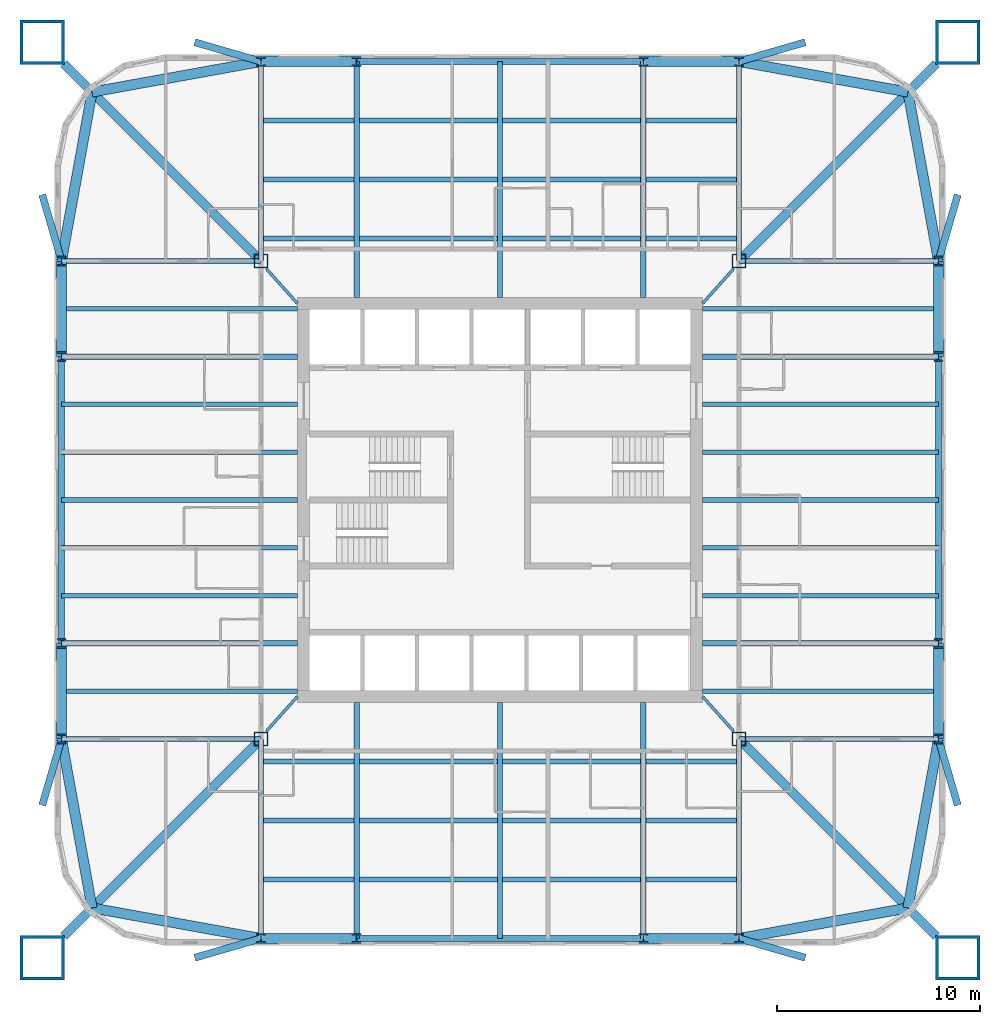
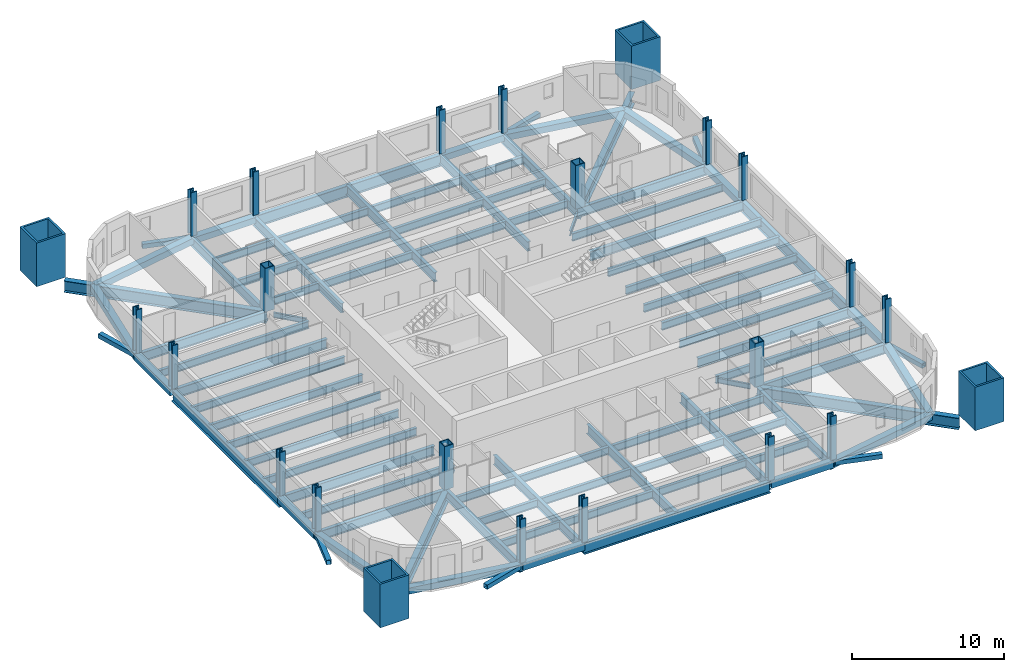
# One storey, part 1 of 9: 92 beams, 24 columns.
"""IFC4 building model written with IfcOpenShell, lengths in metres."""

from ifc_helpers import new_model, si_unit, direction, frame, origin, origin_2d, place, context, subcontext, project, spatial, hollow_rectangle, i_section, extrude, material, material_profile, profile_set, type_object, element, save


model = new_model("IFC4")

# Units and contexts
model_context = context("Model", 3, precision=1e-05, world=origin(), true_north=direction((0.0, 1.0)))
body_context = subcontext(model_context, "Body", "Model", "MODEL_VIEW")
ifc_project = project(units=[si_unit("LENGTHUNIT", "METRE"), si_unit("AREAUNIT", "SQUARE_METRE"), si_unit("VOLUMEUNIT", "CUBIC_METRE"), si_unit("PLANEANGLEUNIT", "RADIAN"), si_unit("MASSUNIT", "GRAM", prefix="KILO")], contexts=[model_context])

# Site, building, storey
site_placement = place(None, origin())
site = spatial("IfcSite", under=ifc_project, at=site_placement, CompositionType="ELEMENT")
building_placement = place(site_placement, origin())
building = spatial("IfcBuilding", under=site, at=building_placement, Name="Turquesa Mirador Hotel Tower", CompositionType="ELEMENT")
storey_placement = place(building_placement, frame((0.0, 0.0, 35.5)))
storey = spatial("IfcBuildingStorey", under=building, at=storey_placement, Name="L08", CompositionType="ELEMENT", Elevation=35.5)

# Columns
ifc_material_1 = material(Name="Steel ASTM A572 Grade 50", Category="steel")
ifc_material_profile_1 = material_profile(ifc_material_1, hollow_rectangle(XDim=0.699951171875, YDim=0.699951171875, WallThickness=0.06005859375, at=origin_2d()), Name="BOX700X700X60")
ifc_profile_set_1 = profile_set([ifc_material_profile_1], Name="Steel ASTM A572 Grade 50")
column_type_1 = type_object("IfcColumnType", Name="COLUMN BOX700X700X60", PredefinedType="COLUMN", material=ifc_profile_set_1)
for number, where, z_axis, x_axis, name in (
    (1, (43.199951171875, 33.199951171875, 0.0), (0.0, 0.0, 1.0), (1.0, 0.0, 0.0), "COL-L08-K--11.80--11.80"),
    (2, (43.199951171875, 56.800048828125, 0.0), (0.0, 0.0, 1.0), (1.0, 0.0, 0.0), "COL-L08-K--11.80-+11.80"),
    (3, (66.800048828125, 33.199951171875, 0.0), (0.0, 0.0, 1.0), (1.0, 0.0, 0.0), "COL-L08-K-+11.80--11.80"),
    (4, (66.800048828125, 56.800048828125, 0.0), (0.0, 0.0, 1.0), (1.0, 0.0, 0.0), "COL-L08-K-+11.80-+11.80"),
):
    element("IfcColumn", number, at=place(storey_placement, frame(where, z_axis=z_axis, x_axis=x_axis)), inside=storey, type_object=column_type_1, Name=name, PredefinedType="COLUMN", context=body_context, shape_type="SweptSolid", body=[
        extrude(hollow_rectangle(XDim=0.699951171875, YDim=0.699951171875, WallThickness=0.06005859375, at=origin_2d()), origin(), (0.0, 0.0, 1.0), 3.5),
    ])
ifc_material_2 = material(Name="Steel ASTM A992 Grade 50", Category="steel")
ifc_material_profile_2 = material_profile(ifc_material_2, i_section(OverallWidth=0.431884765625, OverallDepth=0.497802734375, WebThickness=0.0556640625, FlangeThickness=0.0888671875, at=origin_2d()), Name="W14X500")
ifc_profile_set_2 = profile_set([ifc_material_profile_2], Name="Steel ASTM A992 Grade 50")
column_type_2 = type_object("IfcColumnType", Name="COLUMN W14X500", PredefinedType="COLUMN", material=ifc_profile_set_2)
for number, where, z_axis, x_axis, name in (
    (5, (33.35009765625, 33.199951171875, 0.0), (0.0, 0.0, 1.0), (1.0, 0.0, 0.0), "COL-L08-P--21.65--11.80"),
    (6, (33.35009765625, 37.919921875, 0.0), (0.0, 0.0, 1.0), (1.0, 0.0, 0.0), "COL-L08-P--21.65--7.08"),
    (7, (33.35009765625, 52.080078125, 0.0), (0.0, 0.0, 1.0), (1.0, 0.0, 0.0), "COL-L08-P--21.65-+7.08"),
    (8, (33.35009765625, 56.800048828125, 0.0), (0.0, 0.0, 1.0), (1.0, 0.0, 0.0), "COL-L08-P--21.65-+11.80"),
    (9, (43.199951171875, 23.35009765625, 0.0), (0.0, 0.0, 1.0), (1.0, 0.0, 0.0), "COL-L08-P--11.80--21.65"),
    (10, (43.199951171875, 66.64990234375, 0.0), (0.0, 0.0, 1.0), (1.0, 0.0, 0.0), "COL-L08-P--11.80-+21.65"),
    (11, (47.919921875, 23.35009765625, 0.0), (0.0, 0.0, 1.0), (1.0, 0.0, 0.0), "COL-L08-P--7.08--21.65"),
    (12, (47.919921875, 66.64990234375, 0.0), (0.0, 0.0, 1.0), (1.0, 0.0, 0.0), "COL-L08-P--7.08-+21.65"),
    (13, (62.080078125, 23.35009765625, 0.0), (0.0, 0.0, 1.0), (1.0, 0.0, 0.0), "COL-L08-P-+7.08--21.65"),
    (14, (62.080078125, 66.64990234375, 0.0), (0.0, 0.0, 1.0), (1.0, 0.0, 0.0), "COL-L08-P-+7.08-+21.65"),
    (15, (66.800048828125, 23.35009765625, 0.0), (0.0, 0.0, 1.0), (1.0, 0.0, 0.0), "COL-L08-P-+11.80--21.65"),
    (16, (66.800048828125, 66.64990234375, 0.0), (0.0, 0.0, 1.0), (1.0, 0.0, 0.0), "COL-L08-P-+11.80-+21.65"),
    (17, (76.64990234375, 33.199951171875, 0.0), (0.0, 0.0, 1.0), (1.0, 0.0, 0.0), "COL-L08-P-+21.65--11.80"),
    (18, (76.64990234375, 37.919921875, 0.0), (0.0, 0.0, 1.0), (1.0, 0.0, 0.0), "COL-L08-P-+21.65--7.08"),
    (19, (76.64990234375, 52.080078125, 0.0), (0.0, 0.0, 1.0), (1.0, 0.0, 0.0), "COL-L08-P-+21.65-+7.08"),
    (20, (76.64990234375, 56.800048828125, 0.0), (0.0, 0.0, 1.0), (1.0, 0.0, 0.0), "COL-L08-P-+21.65-+11.80"),
):
    element("IfcColumn", number, at=place(storey_placement, frame(where, z_axis=z_axis, x_axis=x_axis)), inside=storey, type_object=column_type_2, Name=name, PredefinedType="COLUMN", context=body_context, shape_type="SweptSolid", body=[
        extrude(i_section(OverallWidth=0.431884765625, OverallDepth=0.497802734375, WebThickness=0.0556640625, FlangeThickness=0.0888671875, at=origin_2d()), origin(), (0.0, 0.0, 1.0), 3.5),
    ])
ifc_material_3 = material(Name="Steel ASTM A514 Grade Q", Category="steel")
ifc_material_profile_3 = material_profile(ifc_material_3, hollow_rectangle(XDim=2.199951171875, YDim=2.199951171875, WallThickness=0.14990234375, at=origin_2d()), Name="BOX2200X2200X150")
ifc_profile_set_3 = profile_set([ifc_material_profile_3], Name="Steel ASTM A514 Grade Q")
column_type_3 = type_object("IfcColumnType", Name="MEGA COLUMN BOX2200X2200X150", PredefinedType="COLUMN", material=ifc_profile_set_3)
for number, where, z_axis, x_axis, name in (
    (21, (77.60009765625, 67.60009765625, 0.0), (0.0, 0.0, 1.0), (1.0, 0.0, 0.0), "Mega column M1"),
    (22, (32.39990234375, 67.60009765625, 0.0), (0.0, 0.0, 1.0), (1.0, 0.0, 0.0), "Mega column M2"),
    (23, (32.39990234375, 22.39990234375, 0.0), (0.0, 0.0, 1.0), (1.0, 0.0, 0.0), "Mega column M3"),
    (24, (77.60009765625, 22.39990234375, 0.0), (0.0, 0.0, 1.0), (1.0, 0.0, 0.0), "Mega column M4"),
):
    element("IfcColumn", number, at=place(storey_placement, frame(where, z_axis=z_axis, x_axis=x_axis)), inside=storey, type_object=column_type_3, Name=name, PredefinedType="COLUMN", context=body_context, shape_type="SweptSolid", body=[
        extrude(hollow_rectangle(XDim=2.199951171875, YDim=2.199951171875, WallThickness=0.14990234375, at=origin_2d()), origin(), (0.0, 0.0, 1.0), 3.5),
    ])

# Beams
ifc_material_4 = material(Name="Steel ASTM A572 Grade 50", Category="steel")
ifc_material_profile_4 = material_profile(ifc_material_4, hollow_rectangle(XDim=0.5, YDim=0.5, WallThickness=0.01611328125, at=origin_2d()), Name="BOX500X500X16")
ifc_profile_set_4 = profile_set([ifc_material_profile_4], Name="Steel ASTM A572 Grade 50")
beam_type_1 = type_object("IfcBeamType", Name="BEAM BOX500X500X16", PredefinedType="BEAM", material=ifc_profile_set_4)
for number, where, z_axis, x_axis, name in (
    (25, (43.199951171875, 66.64990234375, -0.419921875), (1.0, 0.0, 0.0), (0.0, 1.0, 0.0), "EB-L08-N-L"),
    (26, (62.080078125, 66.64990234375, -0.419921875), (1.0, 0.0, 0.0), (0.0, 1.0, 0.0), "EB-L08-N-R"),
    (27, (43.199951171875, 23.35009765625, -0.419921875), (1.0, 0.0, 0.0), (0.0, 1.0, 0.0), "EB-L08-S-L"),
    (28, (62.080078125, 23.35009765625, -0.419921875), (1.0, 0.0, 0.0), (0.0, 1.0, 0.0), "EB-L08-S-R"),
    (29, (76.64990234375, 33.199951171875, -0.419921875), (0.0, 1.0, 0.0), (-1.0, 0.0, 0.0), "EB-L08-E-L"),
    (30, (76.64990234375, 52.080078125, -0.419921875), (0.0, 1.0, 0.0), (-1.0, 0.0, 0.0), "EB-L08-E-R"),
    (31, (33.35009765625, 33.199951171875, -0.419921875), (0.0, 1.0, 0.0), (-1.0, 0.0, 0.0), "EB-L08-W-L"),
    (32, (33.35009765625, 52.080078125, -0.419921875), (0.0, 1.0, 0.0), (-1.0, 0.0, 0.0), "EB-L08-W-R"),
):
    element("IfcBeam", number, at=place(storey_placement, frame(where, z_axis=z_axis, x_axis=x_axis)), inside=storey, type_object=beam_type_1, Name=name, PredefinedType="BEAM", context=body_context, shape_type="SweptSolid", body=[
        extrude(hollow_rectangle(XDim=0.5, YDim=0.5, WallThickness=0.01611328125, at=origin_2d()), origin(), (0.0, 0.0, 1.0), 4.719970703125),
    ])
for number, where, z_axis, x_axis, name in (
    (33, (76.64990234375, 56.800048828125, -0.419921875), (-0.177932387818, 0.984042715214, 0.0), (-0.984042715214, -0.177932387818, 0.0), "KE-L08-1-0"),
    (34, (75.1416015625, 65.1416015625, -0.419921875), (-0.984042715214, 0.177932387818, 0.0), (-0.177932387818, -0.984042715214, 0.0), "KE-L08-1-1"),
    (35, (33.35009765625, 56.800048828125, -0.419921875), (0.177932387818, 0.984042715214, 0.0), (-0.984042715214, 0.177932387818, 0.0), "KE-L08-2-0"),
    (36, (34.8583984375, 65.1416015625, -0.419921875), (0.984042715214, 0.177932387818, 0.0), (-0.177932387818, 0.984042715214, 0.0), "KE-L08-2-1"),
    (37, (33.35009765625, 33.199951171875, -0.419921875), (0.177932387818, -0.984042715214, 0.0), (0.984042715214, 0.177932387818, 0.0), "KE-L08-3-0"),
    (38, (34.8583984375, 24.8583984375, -0.419921875), (0.984042715214, -0.177932387818, 0.0), (0.177932387818, 0.984042715214, 0.0), "KE-L08-3-1"),
    (39, (76.64990234375, 33.199951171875, -0.419921875), (-0.177932387818, -0.984042715214, 0.0), (0.984042715214, -0.177932387818, 0.0), "KE-L08-4-0"),
    (40, (75.1416015625, 24.8583984375, -0.419921875), (-0.984042715214, -0.177932387818, 0.0), (0.177932387818, -0.984042715214, 0.0), "KE-L08-4-1"),
):
    element("IfcBeam", number, at=place(storey_placement, frame(where, z_axis=z_axis, x_axis=x_axis)), inside=storey, type_object=beam_type_1, Name=name, PredefinedType="BEAM", context=body_context, shape_type="SweptSolid", body=[
        extrude(hollow_rectangle(XDim=0.5, YDim=0.5, WallThickness=0.01611328125, at=origin_2d()), origin(), (0.0, 0.0, 1.0), 8.476806640625),
    ])
ifc_material_5 = material(Name="Steel ASTM A992 Grade 50", Category="steel")
ifc_material_profile_5 = material_profile(ifc_material_5, i_section(OverallWidth=0.140380859375, OverallDepth=0.40380859375, WebThickness=0.007080078125, FlangeThickness=0.01123046875, at=origin_2d()), Name="W16X31")
ifc_profile_set_5 = profile_set([ifc_material_profile_5], Name="Steel ASTM A992 Grade 50")
beam_type_2 = type_object("IfcBeamType", Name="BEAM W16X31", PredefinedType="BEAM", material=ifc_profile_set_5)
for number, where, z_axis, x_axis, name in (
    (41, (66.529541015625, 56.40966796875, -0.371826171875), (-0.666745084392, -0.745285846129, 0.0), (0.745285846129, -0.666745084392, 0.0), "KT-L08-1"),
    (42, (43.470458984375, 56.40966796875, -0.371826171875), (0.666745084392, -0.745285846129, 0.0), (0.745285846129, 0.666745084392, 0.0), "KT-L08-2"),
    (43, (43.470458984375, 33.59033203125, -0.371826171875), (0.666745084392, 0.745285846129, 0.0), (-0.745285846129, 0.666745084392, 0.0), "KT-L08-3"),
    (44, (66.529541015625, 33.59033203125, -0.371826171875), (-0.666745084392, 0.745285846129, 0.0), (-0.745285846129, -0.666745084392, 0.0), "KT-L08-4"),
):
    element("IfcBeam", number, at=place(storey_placement, frame(where, z_axis=z_axis, x_axis=x_axis)), inside=storey, type_object=beam_type_2, Name=name, PredefinedType="BEAM", context=body_context, shape_type="SweptSolid", body=[
        extrude(i_section(OverallWidth=0.140380859375, OverallDepth=0.40380859375, WebThickness=0.007080078125, FlangeThickness=0.01123046875, at=origin_2d()), origin(), (0.0, 0.0, 1.0), 2.2939453125),
    ])
ifc_material_6 = material(Name="Steel ASTM A992 Grade 50", Category="steel")
ifc_material_profile_6 = material_profile(ifc_material_6, i_section(OverallWidth=0.228271484375, OverallDepth=0.607177734375, WebThickness=0.01123046875, FlangeThickness=0.017333984375, at=origin_2d()), Name="W24X76")
ifc_profile_set_6 = profile_set([ifc_material_profile_6], Name="Steel ASTM A992 Grade 50")
beam_type_3 = type_object("IfcBeamType", Name="BEAM W24X76", PredefinedType="BEAM", material=ifc_profile_set_6)
beam_1_placement = place(storey_placement, frame((43.333251953125, 57.912109375, -0.4736328125), z_axis=(1.0, 0.0, 0.0), x_axis=(0.0, 1.0, 0.0)))
element("IfcBeam", 45, at=beam_1_placement, inside=storey, type_object=beam_type_3, Name="IB-L08-N-1-0", PredefinedType="BEAM", context=body_context, shape_type="SweptSolid", body=[
    extrude(i_section(OverallWidth=0.228271484375, OverallDepth=0.607177734375, WebThickness=0.01123046875, FlangeThickness=0.017333984375, at=origin_2d()), origin(), (0.0, 0.0, 1.0), 4.453369140625),
])
for number, where, z_axis, x_axis, name in (
    (46, (48.053466796875, 57.912109375, -0.4736328125), (1.0, 0.0, 0.0), (0.0, 1.0, 0.0), "IB-L08-N-1-1"),
    (47, (55.13330078125, 57.912109375, -0.4736328125), (1.0, 0.0, 0.0), (0.0, 1.0, 0.0), "IB-L08-N-1-2"),
):
    element("IfcBeam", number, at=place(storey_placement, frame(where, z_axis=z_axis, x_axis=x_axis)), inside=storey, type_object=beam_type_3, Name=name, PredefinedType="BEAM", context=body_context, shape_type="SweptSolid", body=[
        extrude(i_section(OverallWidth=0.228271484375, OverallDepth=0.607177734375, WebThickness=0.01123046875, FlangeThickness=0.017333984375, at=origin_2d()), origin(), (0.0, 0.0, 1.0), 6.813232421875),
    ])
for number, where, z_axis, x_axis, name in (
    (48, (62.21337890625, 57.912109375, -0.4736328125), (1.0, 0.0, 0.0), (0.0, 1.0, 0.0), "IB-L08-N-1-3"),
    (49, (43.333251953125, 60.824951171875, -0.4736328125), (1.0, 0.0, 0.0), (0.0, 1.0, 0.0), "IB-L08-N-2-0"),
):
    element("IfcBeam", number, at=place(storey_placement, frame(where, z_axis=z_axis, x_axis=x_axis)), inside=storey, type_object=beam_type_3, Name=name, PredefinedType="BEAM", context=body_context, shape_type="SweptSolid", body=[
        extrude(i_section(OverallWidth=0.228271484375, OverallDepth=0.607177734375, WebThickness=0.01123046875, FlangeThickness=0.017333984375, at=origin_2d()), origin(), (0.0, 0.0, 1.0), 4.453369140625),
    ])
for number, where, z_axis, x_axis, name in (
    (50, (48.053466796875, 60.824951171875, -0.4736328125), (1.0, 0.0, 0.0), (0.0, 1.0, 0.0), "IB-L08-N-2-1"),
    (51, (55.13330078125, 60.824951171875, -0.4736328125), (1.0, 0.0, 0.0), (0.0, 1.0, 0.0), "IB-L08-N-2-2"),
):
    element("IfcBeam", number, at=place(storey_placement, frame(where, z_axis=z_axis, x_axis=x_axis)), inside=storey, type_object=beam_type_3, Name=name, PredefinedType="BEAM", context=body_context, shape_type="SweptSolid", body=[
        extrude(i_section(OverallWidth=0.228271484375, OverallDepth=0.607177734375, WebThickness=0.01123046875, FlangeThickness=0.017333984375, at=origin_2d()), origin(), (0.0, 0.0, 1.0), 6.813232421875),
    ])
for number, where, z_axis, x_axis, name in (
    (52, (62.21337890625, 60.824951171875, -0.4736328125), (1.0, 0.0, 0.0), (0.0, 1.0, 0.0), "IB-L08-N-2-3"),
    (53, (43.333251953125, 63.737060546875, -0.4736328125), (1.0, 0.0, 0.0), (0.0, 1.0, 0.0), "IB-L08-N-3-0"),
):
    element("IfcBeam", number, at=place(storey_placement, frame(where, z_axis=z_axis, x_axis=x_axis)), inside=storey, type_object=beam_type_3, Name=name, PredefinedType="BEAM", context=body_context, shape_type="SweptSolid", body=[
        extrude(i_section(OverallWidth=0.228271484375, OverallDepth=0.607177734375, WebThickness=0.01123046875, FlangeThickness=0.017333984375, at=origin_2d()), origin(), (0.0, 0.0, 1.0), 4.453369140625),
    ])
for number, where, z_axis, x_axis, name in (
    (54, (48.053466796875, 63.737060546875, -0.4736328125), (1.0, 0.0, 0.0), (0.0, 1.0, 0.0), "IB-L08-N-3-1"),
    (55, (55.13330078125, 63.737060546875, -0.4736328125), (1.0, 0.0, 0.0), (0.0, 1.0, 0.0), "IB-L08-N-3-2"),
):
    element("IfcBeam", number, at=place(storey_placement, frame(where, z_axis=z_axis, x_axis=x_axis)), inside=storey, type_object=beam_type_3, Name=name, PredefinedType="BEAM", context=body_context, shape_type="SweptSolid", body=[
        extrude(i_section(OverallWidth=0.228271484375, OverallDepth=0.607177734375, WebThickness=0.01123046875, FlangeThickness=0.017333984375, at=origin_2d()), origin(), (0.0, 0.0, 1.0), 6.813232421875),
    ])
for number, where, z_axis, x_axis, name in (
    (56, (62.21337890625, 63.737060546875, -0.4736328125), (1.0, 0.0, 0.0), (0.0, 1.0, 0.0), "IB-L08-N-3-3"),
    (57, (43.333251953125, 32.087890625, -0.4736328125), (1.0, 0.0, 0.0), (0.0, 1.0, 0.0), "IB-L08-S-1-0"),
):
    element("IfcBeam", number, at=place(storey_placement, frame(where, z_axis=z_axis, x_axis=x_axis)), inside=storey, type_object=beam_type_3, Name=name, PredefinedType="BEAM", context=body_context, shape_type="SweptSolid", body=[
        extrude(i_section(OverallWidth=0.228271484375, OverallDepth=0.607177734375, WebThickness=0.01123046875, FlangeThickness=0.017333984375, at=origin_2d()), origin(), (0.0, 0.0, 1.0), 4.453369140625),
    ])
for number, where, z_axis, x_axis, name in (
    (58, (48.053466796875, 32.087890625, -0.4736328125), (1.0, 0.0, 0.0), (0.0, 1.0, 0.0), "IB-L08-S-1-1"),
    (59, (55.13330078125, 32.087890625, -0.4736328125), (1.0, 0.0, 0.0), (0.0, 1.0, 0.0), "IB-L08-S-1-2"),
):
    element("IfcBeam", number, at=place(storey_placement, frame(where, z_axis=z_axis, x_axis=x_axis)), inside=storey, type_object=beam_type_3, Name=name, PredefinedType="BEAM", context=body_context, shape_type="SweptSolid", body=[
        extrude(i_section(OverallWidth=0.228271484375, OverallDepth=0.607177734375, WebThickness=0.01123046875, FlangeThickness=0.017333984375, at=origin_2d()), origin(), (0.0, 0.0, 1.0), 6.813232421875),
    ])
for number, where, z_axis, x_axis, name in (
    (60, (62.21337890625, 32.087890625, -0.4736328125), (1.0, 0.0, 0.0), (0.0, 1.0, 0.0), "IB-L08-S-1-3"),
    (61, (43.333251953125, 29.175048828125, -0.4736328125), (1.0, 0.0, 0.0), (0.0, 1.0, 0.0), "IB-L08-S-2-0"),
):
    element("IfcBeam", number, at=place(storey_placement, frame(where, z_axis=z_axis, x_axis=x_axis)), inside=storey, type_object=beam_type_3, Name=name, PredefinedType="BEAM", context=body_context, shape_type="SweptSolid", body=[
        extrude(i_section(OverallWidth=0.228271484375, OverallDepth=0.607177734375, WebThickness=0.01123046875, FlangeThickness=0.017333984375, at=origin_2d()), origin(), (0.0, 0.0, 1.0), 4.453369140625),
    ])
for number, where, z_axis, x_axis, name in (
    (62, (48.053466796875, 29.175048828125, -0.4736328125), (1.0, 0.0, 0.0), (0.0, 1.0, 0.0), "IB-L08-S-2-1"),
    (63, (55.13330078125, 29.175048828125, -0.4736328125), (1.0, 0.0, 0.0), (0.0, 1.0, 0.0), "IB-L08-S-2-2"),
):
    element("IfcBeam", number, at=place(storey_placement, frame(where, z_axis=z_axis, x_axis=x_axis)), inside=storey, type_object=beam_type_3, Name=name, PredefinedType="BEAM", context=body_context, shape_type="SweptSolid", body=[
        extrude(i_section(OverallWidth=0.228271484375, OverallDepth=0.607177734375, WebThickness=0.01123046875, FlangeThickness=0.017333984375, at=origin_2d()), origin(), (0.0, 0.0, 1.0), 6.813232421875),
    ])
for number, where, z_axis, x_axis, name in (
    (64, (62.21337890625, 29.175048828125, -0.4736328125), (1.0, 0.0, 0.0), (0.0, 1.0, 0.0), "IB-L08-S-2-3"),
    (65, (43.333251953125, 26.262939453125, -0.4736328125), (1.0, 0.0, 0.0), (0.0, 1.0, 0.0), "IB-L08-S-3-0"),
):
    element("IfcBeam", number, at=place(storey_placement, frame(where, z_axis=z_axis, x_axis=x_axis)), inside=storey, type_object=beam_type_3, Name=name, PredefinedType="BEAM", context=body_context, shape_type="SweptSolid", body=[
        extrude(i_section(OverallWidth=0.228271484375, OverallDepth=0.607177734375, WebThickness=0.01123046875, FlangeThickness=0.017333984375, at=origin_2d()), origin(), (0.0, 0.0, 1.0), 4.453369140625),
    ])
for number, where, z_axis, x_axis, name in (
    (66, (48.053466796875, 26.262939453125, -0.4736328125), (1.0, 0.0, 0.0), (0.0, 1.0, 0.0), "IB-L08-S-3-1"),
    (67, (55.13330078125, 26.262939453125, -0.4736328125), (1.0, 0.0, 0.0), (0.0, 1.0, 0.0), "IB-L08-S-3-2"),
):
    element("IfcBeam", number, at=place(storey_placement, frame(where, z_axis=z_axis, x_axis=x_axis)), inside=storey, type_object=beam_type_3, Name=name, PredefinedType="BEAM", context=body_context, shape_type="SweptSolid", body=[
        extrude(i_section(OverallWidth=0.228271484375, OverallDepth=0.607177734375, WebThickness=0.01123046875, FlangeThickness=0.017333984375, at=origin_2d()), origin(), (0.0, 0.0, 1.0), 6.813232421875),
    ])
beam_2_placement = place(storey_placement, frame((62.21337890625, 26.262939453125, -0.4736328125), z_axis=(1.0, 0.0, 0.0), x_axis=(0.0, 1.0, 0.0)))
element("IfcBeam", 68, at=beam_2_placement, inside=storey, type_object=beam_type_3, Name="IB-L08-S-3-3", PredefinedType="BEAM", context=body_context, shape_type="SweptSolid", body=[
    extrude(i_section(OverallWidth=0.228271484375, OverallDepth=0.607177734375, WebThickness=0.01123046875, FlangeThickness=0.017333984375, at=origin_2d()), origin(), (0.0, 0.0, 1.0), 4.453369140625),
])
for number, where, z_axis, x_axis, name in (
    (69, (76.64990234375, 35.56005859375, -0.4736328125), (-1.0, 0.0, 0.0), (0.0, -1.0, 0.0), "BM-L08-E--9.44"),
    (70, (76.64990234375, 40.280029296875, -0.4736328125), (-1.0, 0.0, 0.0), (0.0, -1.0, 0.0), "BM-L08-E--4.72"),
    (71, (76.64990234375, 42.639892578125, -0.4736328125), (-1.0, 0.0, 0.0), (0.0, -1.0, 0.0), "BM-L08-E--2.36"),
    (72, (76.64990234375, 45.0, -0.4736328125), (-1.0, 0.0, 0.0), (0.0, -1.0, 0.0), "BM-L08-E-+0.00"),
    (73, (76.64990234375, 47.360107421875, -0.4736328125), (-1.0, 0.0, 0.0), (0.0, -1.0, 0.0), "BM-L08-E-+2.36"),
    (74, (76.64990234375, 49.719970703125, -0.4736328125), (-1.0, 0.0, 0.0), (0.0, -1.0, 0.0), "BM-L08-E-+4.72"),
    (75, (76.64990234375, 54.43994140625, -0.4736328125), (-1.0, 0.0, 0.0), (0.0, -1.0, 0.0), "BM-L08-E-+9.44"),
    (76, (33.35009765625, 35.56005859375, -0.4736328125), (1.0, 0.0, 0.0), (0.0, 1.0, 0.0), "BM-L08-W--9.44"),
    (77, (33.35009765625, 40.280029296875, -0.4736328125), (1.0, 0.0, 0.0), (0.0, 1.0, 0.0), "BM-L08-W--4.72"),
    (78, (33.35009765625, 42.639892578125, -0.4736328125), (1.0, 0.0, 0.0), (0.0, 1.0, 0.0), "BM-L08-W--2.36"),
    (79, (33.35009765625, 45.0, -0.4736328125), (1.0, 0.0, 0.0), (0.0, 1.0, 0.0), "BM-L08-W-+0.00"),
    (80, (33.35009765625, 47.360107421875, -0.4736328125), (1.0, 0.0, 0.0), (0.0, 1.0, 0.0), "BM-L08-W-+2.36"),
    (81, (33.35009765625, 49.719970703125, -0.4736328125), (1.0, 0.0, 0.0), (0.0, 1.0, 0.0), "BM-L08-W-+4.72"),
    (82, (33.35009765625, 54.43994140625, -0.4736328125), (1.0, 0.0, 0.0), (0.0, 1.0, 0.0), "BM-L08-W-+9.44"),
):
    element("IfcBeam", number, at=place(storey_placement, frame(where, z_axis=z_axis, x_axis=x_axis)), inside=storey, type_object=beam_type_3, Name=name, PredefinedType="BEAM", context=body_context, shape_type="SweptSolid", body=[
        extrude(i_section(OverallWidth=0.228271484375, OverallDepth=0.607177734375, WebThickness=0.01123046875, FlangeThickness=0.017333984375, at=origin_2d()), origin(), (0.0, 0.0, 1.0), 11.64990234375),
    ])
ifc_material_7 = material(Name="Steel ASTM A992 Grade 50", Category="steel")
ifc_material_profile_7 = material_profile(ifc_material_7, i_section(OverallWidth=0.2666015625, OverallDepth=0.7568359375, WebThickness=0.013916015625, FlangeThickness=0.019287109375, at=origin_2d()), Name="W30X108")
ifc_profile_set_7 = profile_set([ifc_material_profile_7], Name="Steel ASTM A992 Grade 50")
beam_type_4 = type_object("IfcBeamType", Name="BEAM W30X108", PredefinedType="BEAM", material=ifc_profile_set_7)
for number, where, z_axis, x_axis, name in (
    (83, (47.919921875, 66.64990234375, -0.54833984375), (0.0, -1.0, 0.0), (1.0, 0.0, 0.0), "GD-L08-N--7.08"),
    (84, (62.080078125, 66.64990234375, -0.54833984375), (0.0, -1.0, 0.0), (1.0, 0.0, 0.0), "GD-L08-N-+7.08"),
    (85, (55.0, 66.64990234375, -0.54833984375), (0.0, -1.0, 0.0), (1.0, 0.0, 0.0), "GD-L08-N-+0.00"),
):
    element("IfcBeam", number, at=place(storey_placement, frame(where, z_axis=z_axis, x_axis=x_axis)), inside=storey, type_object=beam_type_4, Name=name, PredefinedType="BEAM", context=body_context, shape_type="SweptSolid", body=[
        extrude(i_section(OverallWidth=0.2666015625, OverallDepth=0.7568359375, WebThickness=0.013916015625, FlangeThickness=0.019287109375, at=origin_2d()), origin(), (0.0, 0.0, 1.0), 11.64990234375),
    ])
for number, where, z_axis, x_axis, name in (
    (86, (43.199951171875, 66.64990234375, -0.54833984375), (0.0, -1.0, 0.0), (1.0, 0.0, 0.0), "GK-L08-N--11.80"),
    (87, (66.800048828125, 66.64990234375, -0.54833984375), (0.0, -1.0, 0.0), (1.0, 0.0, 0.0), "GK-L08-N-+11.80"),
):
    element("IfcBeam", number, at=place(storey_placement, frame(where, z_axis=z_axis, x_axis=x_axis)), inside=storey, type_object=beam_type_4, Name=name, PredefinedType="BEAM", context=body_context, shape_type="SweptSolid", body=[
        extrude(i_section(OverallWidth=0.2666015625, OverallDepth=0.7568359375, WebThickness=0.013916015625, FlangeThickness=0.019287109375, at=origin_2d()), origin(), (0.0, 0.0, 1.0), 9.849853515625),
    ])
for number, where, z_axis, x_axis, name in (
    (88, (47.919921875, 23.35009765625, -0.54833984375), (0.0, 1.0, 0.0), (-1.0, 0.0, 0.0), "GD-L08-S--7.08"),
    (89, (62.080078125, 23.35009765625, -0.54833984375), (0.0, 1.0, 0.0), (-1.0, 0.0, 0.0), "GD-L08-S-+7.08"),
    (90, (55.0, 23.35009765625, -0.54833984375), (0.0, 1.0, 0.0), (-1.0, 0.0, 0.0), "GD-L08-S-+0.00"),
):
    element("IfcBeam", number, at=place(storey_placement, frame(where, z_axis=z_axis, x_axis=x_axis)), inside=storey, type_object=beam_type_4, Name=name, PredefinedType="BEAM", context=body_context, shape_type="SweptSolid", body=[
        extrude(i_section(OverallWidth=0.2666015625, OverallDepth=0.7568359375, WebThickness=0.013916015625, FlangeThickness=0.019287109375, at=origin_2d()), origin(), (0.0, 0.0, 1.0), 11.64990234375),
    ])
for number, where, z_axis, x_axis, name in (
    (91, (43.199951171875, 23.35009765625, -0.54833984375), (0.0, 1.0, 0.0), (-1.0, 0.0, 0.0), "GK-L08-S--11.80"),
    (92, (66.800048828125, 23.35009765625, -0.54833984375), (0.0, 1.0, 0.0), (-1.0, 0.0, 0.0), "GK-L08-S-+11.80"),
):
    element("IfcBeam", number, at=place(storey_placement, frame(where, z_axis=z_axis, x_axis=x_axis)), inside=storey, type_object=beam_type_4, Name=name, PredefinedType="BEAM", context=body_context, shape_type="SweptSolid", body=[
        extrude(i_section(OverallWidth=0.2666015625, OverallDepth=0.7568359375, WebThickness=0.013916015625, FlangeThickness=0.019287109375, at=origin_2d()), origin(), (0.0, 0.0, 1.0), 9.849853515625),
    ])
for number, where, z_axis, x_axis, name in (
    (93, (76.64990234375, 37.919921875, -0.54833984375), (-1.0, 0.0, 0.0), (0.0, -1.0, 0.0), "GD-L08-E--7.08"),
    (94, (76.64990234375, 52.080078125, -0.54833984375), (-1.0, 0.0, 0.0), (0.0, -1.0, 0.0), "GD-L08-E-+7.08"),
):
    element("IfcBeam", number, at=place(storey_placement, frame(where, z_axis=z_axis, x_axis=x_axis)), inside=storey, type_object=beam_type_4, Name=name, PredefinedType="BEAM", context=body_context, shape_type="SweptSolid", body=[
        extrude(i_section(OverallWidth=0.2666015625, OverallDepth=0.7568359375, WebThickness=0.013916015625, FlangeThickness=0.019287109375, at=origin_2d()), origin(), (0.0, 0.0, 1.0), 11.64990234375),
    ])
for number, where, z_axis, x_axis, name in (
    (95, (76.64990234375, 33.199951171875, -0.54833984375), (-1.0, 0.0, 0.0), (0.0, -1.0, 0.0), "GK-L08-E--11.80"),
    (96, (76.64990234375, 56.800048828125, -0.54833984375), (-1.0, 0.0, 0.0), (0.0, -1.0, 0.0), "GK-L08-E-+11.80"),
):
    element("IfcBeam", number, at=place(storey_placement, frame(where, z_axis=z_axis, x_axis=x_axis)), inside=storey, type_object=beam_type_4, Name=name, PredefinedType="BEAM", context=body_context, shape_type="SweptSolid", body=[
        extrude(i_section(OverallWidth=0.2666015625, OverallDepth=0.7568359375, WebThickness=0.013916015625, FlangeThickness=0.019287109375, at=origin_2d()), origin(), (0.0, 0.0, 1.0), 9.849853515625),
    ])
for number, where, z_axis, x_axis, name in (
    (97, (33.35009765625, 37.919921875, -0.54833984375), (1.0, 0.0, 0.0), (0.0, 1.0, 0.0), "GD-L08-W--7.08"),
    (98, (33.35009765625, 52.080078125, -0.54833984375), (1.0, 0.0, 0.0), (0.0, 1.0, 0.0), "GD-L08-W-+7.08"),
):
    element("IfcBeam", number, at=place(storey_placement, frame(where, z_axis=z_axis, x_axis=x_axis)), inside=storey, type_object=beam_type_4, Name=name, PredefinedType="BEAM", context=body_context, shape_type="SweptSolid", body=[
        extrude(i_section(OverallWidth=0.2666015625, OverallDepth=0.7568359375, WebThickness=0.013916015625, FlangeThickness=0.019287109375, at=origin_2d()), origin(), (0.0, 0.0, 1.0), 11.64990234375),
    ])
for number, where, z_axis, x_axis, name in (
    (99, (33.35009765625, 33.199951171875, -0.54833984375), (1.0, 0.0, 0.0), (0.0, 1.0, 0.0), "GK-L08-W--11.80"),
    (100, (33.35009765625, 56.800048828125, -0.54833984375), (1.0, 0.0, 0.0), (0.0, 1.0, 0.0), "GK-L08-W-+11.80"),
):
    element("IfcBeam", number, at=place(storey_placement, frame(where, z_axis=z_axis, x_axis=x_axis)), inside=storey, type_object=beam_type_4, Name=name, PredefinedType="BEAM", context=body_context, shape_type="SweptSolid", body=[
        extrude(i_section(OverallWidth=0.2666015625, OverallDepth=0.7568359375, WebThickness=0.013916015625, FlangeThickness=0.019287109375, at=origin_2d()), origin(), (0.0, 0.0, 1.0), 9.849853515625),
    ])
ifc_material_8 = material(Name="Steel ASTM A992 Grade 50", Category="steel")
ifc_material_profile_8 = material_profile(ifc_material_8, i_section(OverallWidth=0.3046875, OverallDepth=0.911865234375, WebThickness=0.015869140625, FlangeThickness=0.02392578125, at=origin_2d()), Name="W36X150")
ifc_profile_set_8 = profile_set([ifc_material_profile_8], Name="Steel ASTM A992 Grade 50")
beam_type_5 = type_object("IfcBeamType", Name="BEAM W36X150", PredefinedType="BEAM", material=ifc_profile_set_8)
for number, where, z_axis, x_axis, name in (
    (101, (47.919921875, 66.64990234375, -0.6259765625), (1.0, 0.0, 0.0), (0.0, 1.0, 0.0), "EB-L08-N-C"),
    (102, (47.919921875, 23.35009765625, -0.6259765625), (1.0, 0.0, 0.0), (0.0, 1.0, 0.0), "EB-L08-S-C"),
    (103, (76.64990234375, 37.919921875, -0.6259765625), (0.0, 1.0, 0.0), (-1.0, 0.0, 0.0), "EB-L08-E-C"),
    (104, (33.35009765625, 37.919921875, -0.6259765625), (0.0, 1.0, 0.0), (-1.0, 0.0, 0.0), "EB-L08-W-C"),
):
    element("IfcBeam", number, at=place(storey_placement, frame(where, z_axis=z_axis, x_axis=x_axis)), inside=storey, type_object=beam_type_5, Name=name, PredefinedType="BEAM", context=body_context, shape_type="SweptSolid", body=[
        extrude(i_section(OverallWidth=0.3046875, OverallDepth=0.911865234375, WebThickness=0.015869140625, FlangeThickness=0.02392578125, at=origin_2d()), origin(), (0.0, 0.0, 1.0), 14.16015625),
    ])
ifc_material_9 = material(Name="Steel ASTM A992 Grade 50", Category="steel")
ifc_material_profile_9 = material_profile(ifc_material_9, i_section(OverallWidth=0.419189453125, OverallDepth=0.927001953125, WebThickness=0.019287109375, FlangeThickness=0.031982421875, at=origin_2d()), Name="W36X231")
ifc_profile_set_9 = profile_set([ifc_material_profile_9], Name="Steel ASTM A992 Grade 50")
beam_type_6 = type_object("IfcBeamType", Name="BEAM W36X231", PredefinedType="BEAM", material=ifc_profile_set_9)
for number, where, z_axis, x_axis, name in (
    (105, (66.800048828125, 56.800048828125, -0.633544921875), (0.707106781187, 0.707106781187, 0.0), (-0.707106781187, 0.707106781187, 0.0), "KD-L08-1"),
    (106, (43.199951171875, 56.800048828125, -0.633544921875), (-0.707106781187, 0.707106781187, 0.0), (-0.707106781187, -0.707106781187, 0.0), "KD-L08-2"),
    (107, (43.199951171875, 33.199951171875, -0.633544921875), (-0.707106781187, -0.707106781187, 0.0), (0.707106781187, -0.707106781187, 0.0), "KD-L08-3"),
    (108, (66.800048828125, 33.199951171875, -0.633544921875), (0.707106781187, -0.707106781187, 0.0), (0.707106781187, 0.707106781187, 0.0), "KD-L08-4"),
):
    element("IfcBeam", number, at=place(storey_placement, frame(where, z_axis=z_axis, x_axis=x_axis)), inside=storey, type_object=beam_type_6, Name=name, PredefinedType="BEAM", context=body_context, shape_type="SweptSolid", body=[
        extrude(i_section(OverallWidth=0.419189453125, OverallDepth=0.927001953125, WebThickness=0.019287109375, FlangeThickness=0.031982421875, at=origin_2d()), origin(), (0.0, 0.0, 1.0), 13.78857421875),
    ])
ifc_material_10 = material(Name="Steel ASTM A500 Grade C", Category="steel")
ifc_material_profile_10 = material_profile(ifc_material_10, hollow_rectangle(XDim=0.355712890625, YDim=0.355712890625, WallThickness=0.0146484375, at=origin_2d()), Name="HSS14X14X5/8")
ifc_profile_set_10 = profile_set([ifc_material_profile_10], Name="Steel ASTM A500 Grade C")
beam_type_7 = type_object("IfcBeamType", Name="BRACE STRUT HSS14X14X5/8", PredefinedType="BEAM", material=ifc_profile_set_10)
for number, where, z_axis, x_axis, name in (
    (109, (39.933349609375, 67.60009765625, -0.347900390625), (0.960202295534, -0.279305480883, 0.0), (0.279305480883, 0.960202295534, 0.0), "Brace strut"),
    (110, (70.066650390625, 67.60009765625, -0.347900390625), (-0.960202295534, -0.279305480883, 0.0), (0.279305480883, -0.960202295534, 0.0), "Brace strut"),
    (111, (39.933349609375, 22.39990234375, -0.347900390625), (0.960202295534, 0.279305480883, 0.0), (-0.279305480883, 0.960202295534, 0.0), "Brace strut"),
    (112, (70.066650390625, 22.39990234375, -0.347900390625), (-0.960202295534, 0.279305480883, 0.0), (-0.279305480883, -0.960202295534, 0.0), "Brace strut"),
    (113, (77.60009765625, 29.933349609375, -0.347900390625), (-0.279305480883, 0.960202295534, 0.0), (-0.960202295534, -0.279305480883, 0.0), "Brace strut"),
    (114, (77.60009765625, 60.066650390625, -0.347900390625), (-0.279305480883, -0.960202295534, 0.0), (0.960202295534, -0.279305480883, 0.0), "Brace strut"),
    (115, (32.39990234375, 29.933349609375, -0.347900390625), (0.279305480883, 0.960202295534, 0.0), (-0.960202295534, 0.279305480883, 0.0), "Brace strut"),
    (116, (32.39990234375, 60.066650390625, -0.347900390625), (0.279305480883, -0.960202295534, 0.0), (0.960202295534, 0.279305480883, 0.0), "Brace strut"),
):
    element("IfcBeam", number, at=place(storey_placement, frame(where, z_axis=z_axis, x_axis=x_axis)), inside=storey, type_object=beam_type_7, Name=name, PredefinedType="BEAM", context=body_context, shape_type="SweptSolid", body=[
        extrude(hollow_rectangle(XDim=0.355712890625, YDim=0.355712890625, WallThickness=0.0146484375, at=origin_2d()), origin(), (0.0, 0.0, 1.0), 3.402099609375),
    ])

save(model, "model.ifc")
